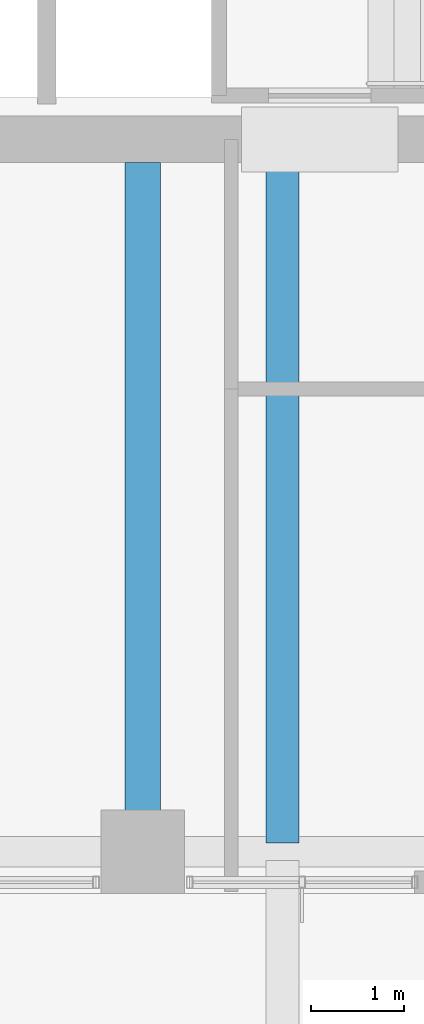
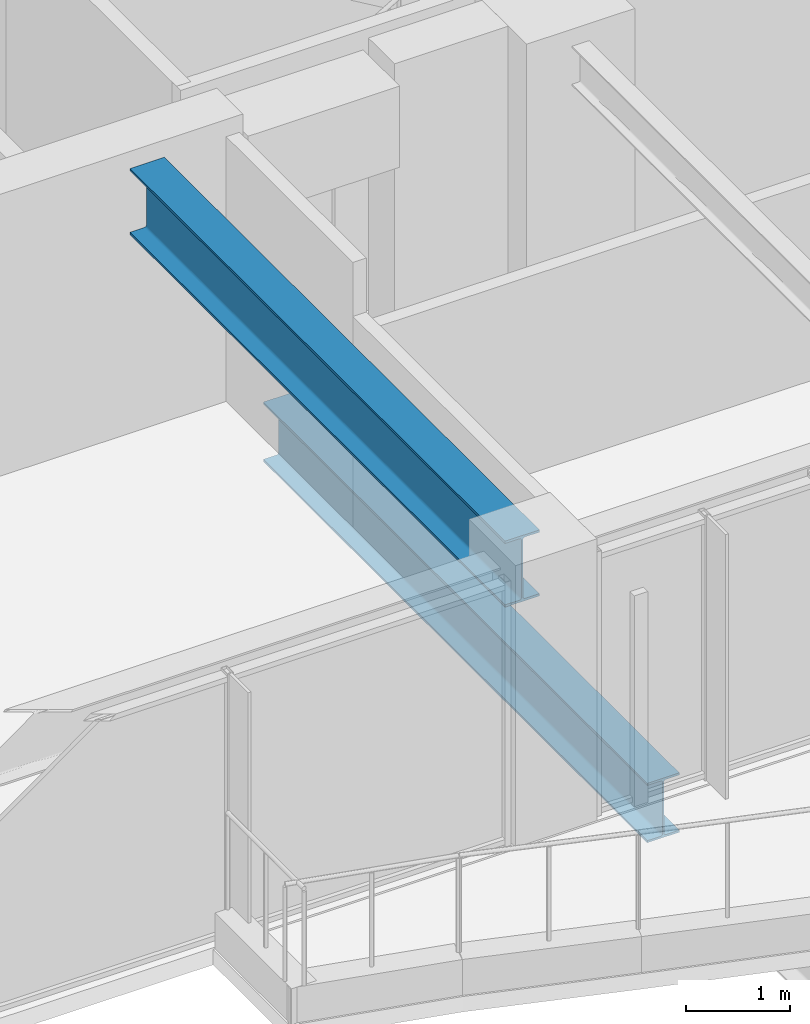
# One storey, part 4 of 31: 2 beams.
"""IFC4 building model written with IfcOpenShell, lengths in metres."""

from ifc_helpers import new_model, si_unit, direction, frame, origin, origin_2d, place, context, subcontext, project, spatial, i_section, extrude, material, material_profile, profile_set, type_object, element, save


model = new_model("IFC4")

# Units and contexts
model_context = context("Model", 3, precision=1e-05, world=origin(), true_north=direction((0.0, 1.0)))
body_context = subcontext(model_context, "Body", "Model", "MODEL_VIEW")
ifc_project = project(units=[si_unit("LENGTHUNIT", "METRE"), si_unit("AREAUNIT", "SQUARE_METRE"), si_unit("VOLUMEUNIT", "CUBIC_METRE"), si_unit("PLANEANGLEUNIT", "RADIAN"), si_unit("MASSUNIT", "GRAM", prefix="KILO")], contexts=[model_context])

# Site, building, storey
site_placement = place(None, origin())
site = spatial("IfcSite", under=ifc_project, at=site_placement, CompositionType="ELEMENT")
building_placement = place(site_placement, origin())
building = spatial("IfcBuilding", under=site, at=building_placement, Name="Kolvaren Belvedere", CompositionType="ELEMENT")
storey_placement = place(building_placement, frame((0.0, 0.0, 131.60009765625)))
storey = spatial("IfcBuildingStorey", under=building, at=storey_placement, Name="L38", CompositionType="ELEMENT", Elevation=131.60009765625)

# Beams
ifc_material_1 = material(Name="Structural steel ASTM A992 Grade 50", Category="steel")
ifc_material_profile_1 = material_profile(ifc_material_1, i_section(OverallWidth=0.35498046875, OverallDepth=0.696044921875, WebThickness=0.015380859375, FlangeThickness=0.02490234375, FilletRadius=0.02197265625, at=origin_2d()), Name="W27X146")
ifc_profile_set_1 = profile_set([ifc_material_profile_1], Name="Structural steel ASTM A992 Grade 50")
beam_type_1 = type_object("IfcBeamType", Name="BM-GIRD-W27X146", PredefinedType="BEAM", material=ifc_profile_set_1)
beam_1_placement = place(storey_placement, frame((-3.10009765625, -10.090087890625, -0.548095703125), z_axis=(0.0, -1.0, 0.0), x_axis=(1.0, 0.0, 0.0)))
element("IfcBeam", 1, at=beam_1_placement, inside=storey, type_object=beam_type_1, Name="L38 Balcony Interior Back-Span Girder BAL-S-1", PredefinedType="BEAM", context=body_context, shape_type="SweptSolid", body=[
    extrude(i_section(OverallWidth=0.35498046875, OverallDepth=0.696044921875, WebThickness=0.015380859375, FlangeThickness=0.02490234375, FilletRadius=0.02197265625, at=origin_2d()), origin(), (0.0, 0.0, 1.0), 7.364990234375),
])
ifc_material_2 = material(Name="Structural steel ASTM A992 Grade 50", Category="steel")
ifc_material_profile_2 = material_profile(ifc_material_2, i_section(OverallWidth=0.381103515625, OverallDepth=0.77294921875, WebThickness=0.0166015625, FlangeThickness=0.027099609375, FilletRadius=0.02392578125, at=origin_2d()), Name="W30X173")
ifc_profile_set_2 = profile_set([ifc_material_profile_2], Name="Structural steel ASTM A992 Grade 50")
beam_type_2 = type_object("IfcBeamType", Name="BM-GIRD-W30X173", PredefinedType="BEAM", material=ifc_profile_set_2)
beam_2_placement = place(storey_placement, frame((-4.60009765625, -10.14990234375, 2.71337890625), z_axis=(0.0, -1.0, 0.0), x_axis=(1.0, 0.0, 0.0)))
element("IfcBeam", 2, at=beam_2_placement, inside=storey, type_object=beam_type_2, Name="L38 South Radial Girder M", PredefinedType="BEAM", context=body_context, shape_type="SweptSolid", body=[
    extrude(i_section(OverallWidth=0.381103515625, OverallDepth=0.77294921875, WebThickness=0.0166015625, FlangeThickness=0.027099609375, FilletRadius=0.02392578125, at=origin_2d()), origin(), (0.0, 0.0, 1.0), 7.197509765625),
])

save(model, "model.ifc")
